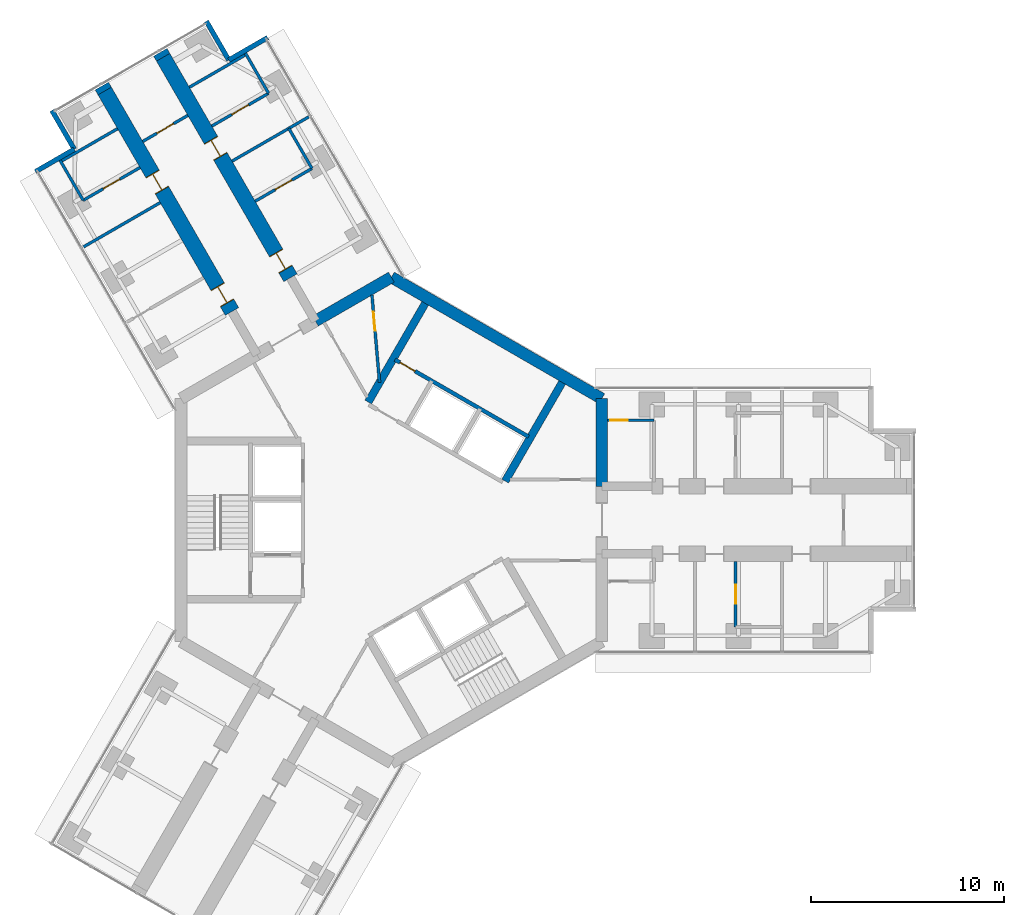
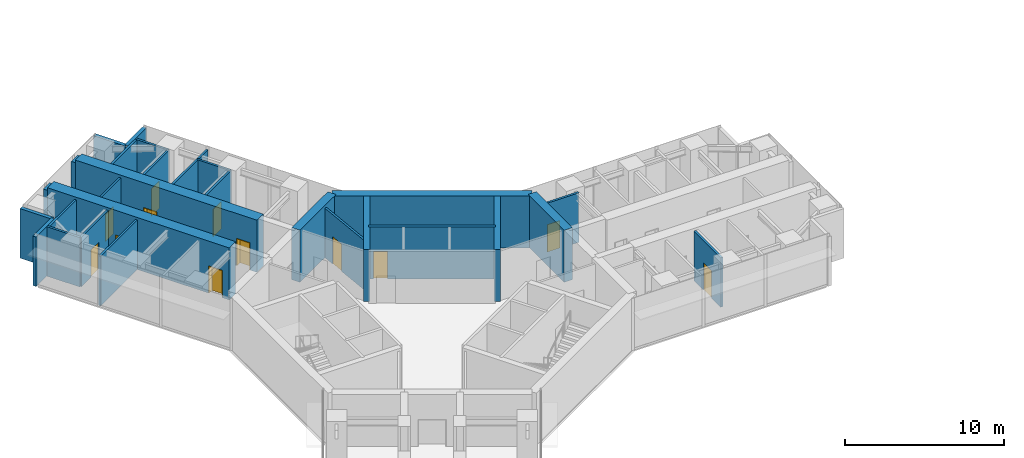
# One storey, part 17 of 22: 28 walls, 12 doors, 12 openings.
"""IFC4 building model written with IfcOpenShell, lengths in metres."""

from ifc_helpers import new_model, si_unit, direction, frame, frame_2d, origin, place, context, subcontext, project, spatial, rectangle, extrude, material, layer, layer_set, type_object, element, fill, save


model = new_model("IFC4")

# Units and contexts
model_context = context("Model", 3, precision=1e-05, world=origin(), true_north=direction((0.0, 1.0)))
body_context = subcontext(model_context, "Body", "Model", "MODEL_VIEW")
ifc_project = project(units=[si_unit("LENGTHUNIT", "METRE"), si_unit("AREAUNIT", "SQUARE_METRE"), si_unit("VOLUMEUNIT", "CUBIC_METRE"), si_unit("PLANEANGLEUNIT", "RADIAN"), si_unit("MASSUNIT", "GRAM", prefix="KILO")], contexts=[model_context])

# Site, building, storey
site_placement = place(None, origin())
site = spatial("IfcSite", under=ifc_project, at=site_placement, CompositionType="ELEMENT")
building_placement = place(site_placement, origin())
building = spatial("IfcBuilding", under=site, at=building_placement, Name="Upepo Twin Towers", CompositionType="ELEMENT")
storey_placement = place(building_placement, frame((0.0, 0.0, 141.5)))
storey = spatial("IfcBuildingStorey", under=building, at=storey_placement, Name="L34", CompositionType="ELEMENT", Elevation=141.5)

# Walls
ifc_material_1 = material(Name="Dense concrete blockwork", Category="masonry")
ifc_layer_1 = layer(ifc_material_1, 0.800048828125)
ifc_layer_set_1 = layer_set([ifc_layer_1], Name="Buttress closer 800, blockwork with fire-stopping to the curtain wall")
wall_type_1 = type_object("IfcWallType", Name="Buttress closer 800, blockwork with fire-stopping to the curtain wall", PredefinedType="PARTITIONING", material=ifc_layer_set_1)
wall_1_placement = place(storey_placement, frame((-14.865478515625, 22.247802734375, 0.0), z_axis=(0.0, 0.0, 1.0), x_axis=(-0.500426713919, 0.865778900179, 0.0)))
element("IfcWall", 1, at=wall_1_placement, inside=storey, type_object=wall_type_1, Name="T1 L34 wing B buttress closer L", PredefinedType="PARTITIONING", context=body_context, shape_type="SweptSolid", body=[
    extrude(rectangle(XDim=0.300048828125, YDim=0.800048828125, at=frame_2d((0.14990234375, 0.0))), origin(), (0.0, 0.0, 1.0), 3.800048828125),
])
wall_2_placement = place(storey_placement, frame((-11.83447265625, 23.997802734375, 0.0), z_axis=(0.0, 0.0, 1.0), x_axis=(-0.499816412211, 0.866131372301, 0.0)))
element("IfcWall", 2, at=wall_2_placement, inside=storey, type_object=wall_type_1, Name="T1 L34 wing B buttress closer R", PredefinedType="PARTITIONING", context=body_context, shape_type="SweptSolid", body=[
    extrude(rectangle(XDim=0.2998046875, YDim=0.800048828125, at=frame_2d((0.14990234375, 0.0))), origin(), (0.0, 0.0, 1.0), 3.800048828125),
])

# Wall, openings, doors
ifc_material_2 = material(Name="Concrete C60/75", Category="concrete")
ifc_layer_2 = layer(ifc_material_2, 0.800048828125)
ifc_layer_set_2 = layer_set([ifc_layer_2], Name="Concrete C60/75")
wall_type_2 = type_object("IfcWallType", Name="Buttress wall 800 RC", PredefinedType="SHEAR", material=ifc_layer_set_2)
wall_3_placement = place(storey_placement, frame((-8.265625, 10.81640625, 0.0), z_axis=(0.0, 0.0, 1.0), x_axis=(-0.499996231654, 0.866027579429, 0.0)))
wall_3 = element("IfcWall", 3, at=wall_3_placement, inside=storey, type_object=wall_type_2, Name="T1 wing B buttress wall L part 2", PredefinedType="SHEAR", context=body_context, shape_type="SweptSolid", body=[
    extrude(rectangle(XDim=13.19970703125, YDim=0.800048828125, at=frame_2d((6.599853515625, 0.0))), origin(), (0.0, 0.0, 1.0), 4.0),
])
opening_1_placement = place(wall_3_placement, frame((0.5, 0.0, 0.0)))
opening_1 = element("IfcOpeningElement", 4, at=opening_1_placement, cuts=wall_3, Name="Opening D1", PredefinedType="OPENING", context=body_context, shape_type="SweptSolid", body=[
    extrude(rectangle(XDim=1.0, YDim=2.10009765625, at=frame_2d((0.5, 1.050048828125))), frame((0.0, 0.409912109375, 0.0), z_axis=(0.0, -1.0, 0.0), x_axis=(1.0, 0.0, 0.0)), (0.0, 0.0, 1.0), 0.820068359375),
])
opening_2_placement = place(wall_3_placement, frame((7.25, 0.0, 0.0)))
opening_2 = element("IfcOpeningElement", 5, at=opening_2_placement, cuts=wall_3, Name="Opening D1", PredefinedType="OPENING", context=body_context, shape_type="SweptSolid", body=[
    extrude(rectangle(XDim=1.0, YDim=2.10009765625, at=frame_2d((0.5, 1.050048828125))), frame((0.0, 0.409912109375, 0.0), z_axis=(0.0, -1.0, 0.0), x_axis=(1.0, 0.0, 0.0)), (0.0, 0.0, 1.0), 0.820068359375),
])
ifc_material_3 = material(Name="Timber doorset", Category="wood")
door_type_1 = type_object("IfcDoorType", Name="Room door 1000 FD30", OperationType="SINGLE_SWING_LEFT", PredefinedType="DOOR", material=ifc_material_3)
door_1_placement = place(opening_1_placement, origin())
door_1 = element("IfcDoor", 6, at=door_1_placement, inside=storey, type_object=door_type_1, Name="T1 L34 seminar room door", OperationType="SINGLE_SWING_LEFT", OverallHeight=2.10009765625, OverallWidth=1.0, PredefinedType="DOOR", context=body_context, shape_type="SweptSolid", body=[
    extrude(rectangle(XDim=0.92, YDim=2.06009765625, at=frame_2d((0.5, 1.030029296875))), frame((0.0, 0.02490234375, 0.0), z_axis=(0.0, -1.0, 0.0), x_axis=(1.0, 0.0, 0.0)), (0.0, 0.0, 1.0), 0.050048828125),
    extrude(rectangle(XDim=0.04, YDim=2.10009765625, at=frame_2d((0.02001953125, 1.050048828125))), frame((0.0, 0.39990234375, 0.0), z_axis=(0.0, -1.0, 0.0), x_axis=(1.0, 0.0, 0.0)), (0.0, 0.0, 1.0), 0.799560546875),
    extrude(rectangle(XDim=0.04, YDim=2.10009765625, at=frame_2d((0.97998046875, 1.050048828125))), frame((0.0, 0.39990234375, 0.0), z_axis=(0.0, -1.0, 0.0), x_axis=(1.0, 0.0, 0.0)), (0.0, 0.0, 1.0), 0.799560546875),
    extrude(rectangle(XDim=0.92, YDim=0.04, at=frame_2d((0.5, 2.080078125))), frame((0.0, 0.39990234375, 0.0), z_axis=(0.0, -1.0, 0.0), x_axis=(1.0, 0.0, 0.0)), (0.0, 0.0, 1.0), 0.799560546875),
])
fill(opening_1, door_1)
door_2_placement = place(opening_2_placement, origin())
door_2 = element("IfcDoor", 7, at=door_2_placement, inside=storey, type_object=door_type_1, Name="T1 L34 tutorial room door", OperationType="SINGLE_SWING_RIGHT", OverallHeight=2.10009765625, OverallWidth=1.0, PredefinedType="DOOR", context=body_context, shape_type="SweptSolid", body=[
    extrude(rectangle(XDim=0.92, YDim=2.06009765625, at=frame_2d((0.5, 1.030029296875))), frame((0.0, 0.02490234375, 0.0), z_axis=(0.0, -1.0, 0.0), x_axis=(1.0, 0.0, 0.0)), (0.0, 0.0, 1.0), 0.050048828125),
    extrude(rectangle(XDim=0.04, YDim=2.10009765625, at=frame_2d((0.02001953125, 1.050048828125))), frame((0.0, 0.39990234375, 0.0), z_axis=(0.0, -1.0, 0.0), x_axis=(1.0, 0.0, 0.0)), (0.0, 0.0, 1.0), 0.799560546875),
    extrude(rectangle(XDim=0.04, YDim=2.10009765625, at=frame_2d((0.97998046875, 1.050048828125))), frame((0.0, 0.39990234375, 0.0), z_axis=(0.0, -1.0, 0.0), x_axis=(1.0, 0.0, 0.0)), (0.0, 0.0, 1.0), 0.799560546875),
    extrude(rectangle(XDim=0.92, YDim=0.04, at=frame_2d((0.5, 2.080078125))), frame((0.0, 0.39990234375, 0.0), z_axis=(0.0, -1.0, 0.0), x_axis=(1.0, 0.0, 0.0)), (0.0, 0.0, 1.0), 0.799560546875),
])
fill(opening_2, door_2)

wall_4_placement = place(storey_placement, frame((-5.234375, 12.56640625, 0.0), z_axis=(0.0, 0.0, 1.0), x_axis=(-0.500010103361, 0.866019570528, 0.0)))
wall_4 = element("IfcWall", 8, at=wall_4_placement, inside=storey, type_object=wall_type_2, Name="T1 wing B buttress wall R part 2", PredefinedType="SHEAR", context=body_context, shape_type="SweptSolid", body=[
    extrude(rectangle(XDim=13.199951171875, YDim=0.800048828125, at=frame_2d((6.60009765625, 0.0))), origin(), (0.0, 0.0, 1.0), 4.0),
])
opening_3_placement = place(wall_4_placement, frame((0.5, 0.0, 0.0)))
opening_3 = element("IfcOpeningElement", 9, at=opening_3_placement, cuts=wall_4, Name="Opening D1", PredefinedType="OPENING", context=body_context, shape_type="SweptSolid", body=[
    extrude(rectangle(XDim=1.0, YDim=2.10009765625, at=frame_2d((0.5, 1.050048828125))), frame((0.0, 0.409912109375, 0.0), z_axis=(0.0, -1.0, 0.0), x_axis=(1.0, 0.0, 0.0)), (0.0, 0.0, 1.0), 0.820068359375),
])
opening_4_placement = place(wall_4_placement, frame((7.25, 0.0, 0.0)))
opening_4 = element("IfcOpeningElement", 10, at=opening_4_placement, cuts=wall_4, Name="Opening D1", PredefinedType="OPENING", context=body_context, shape_type="SweptSolid", body=[
    extrude(rectangle(XDim=1.0, YDim=2.10009765625, at=frame_2d((0.5, 1.050048828125))), frame((0.0, 0.409912109375, 0.0), z_axis=(0.0, -1.0, 0.0), x_axis=(1.0, 0.0, 0.0)), (0.0, 0.0, 1.0), 0.820068359375),
])
door_3_placement = place(opening_3_placement, origin())
door_3 = element("IfcDoor", 11, at=door_3_placement, inside=storey, type_object=door_type_1, Name="T1 L34 research laboratory door", OperationType="SINGLE_SWING_LEFT", OverallHeight=2.10009765625, OverallWidth=1.0, PredefinedType="DOOR", context=body_context, shape_type="SweptSolid", body=[
    extrude(rectangle(XDim=0.92, YDim=2.06009765625, at=frame_2d((0.5, 1.030029296875))), frame((0.0, 0.02490234375, 0.0), z_axis=(0.0, -1.0, 0.0), x_axis=(1.0, 0.0, 0.0)), (0.0, 0.0, 1.0), 0.050048828125),
    extrude(rectangle(XDim=0.04, YDim=2.10009765625, at=frame_2d((0.02001953125, 1.050048828125))), frame((0.0, 0.39990234375, 0.0), z_axis=(0.0, -1.0, 0.0), x_axis=(1.0, 0.0, 0.0)), (0.0, 0.0, 1.0), 0.799560546875),
    extrude(rectangle(XDim=0.04, YDim=2.10009765625, at=frame_2d((0.97998046875, 1.050048828125))), frame((0.0, 0.39990234375, 0.0), z_axis=(0.0, -1.0, 0.0), x_axis=(1.0, 0.0, 0.0)), (0.0, 0.0, 1.0), 0.799560546875),
    extrude(rectangle(XDim=0.92, YDim=0.04, at=frame_2d((0.5, 2.080078125))), frame((0.0, 0.39990234375, 0.0), z_axis=(0.0, -1.0, 0.0), x_axis=(1.0, 0.0, 0.0)), (0.0, 0.0, 1.0), 0.799560546875),
])
fill(opening_3, door_3)
door_4_placement = place(opening_4_placement, origin())
door_4 = element("IfcDoor", 12, at=door_4_placement, inside=storey, type_object=door_type_1, Name="T1 L34 computing laboratory door", OperationType="SINGLE_SWING_RIGHT", OverallHeight=2.10009765625, OverallWidth=1.0, PredefinedType="DOOR", context=body_context, shape_type="SweptSolid", body=[
    extrude(rectangle(XDim=0.92, YDim=2.06009765625, at=frame_2d((0.5, 1.030029296875))), frame((0.0, 0.02490234375, 0.0), z_axis=(0.0, -1.0, 0.0), x_axis=(1.0, 0.0, 0.0)), (0.0, 0.0, 1.0), 0.050048828125),
    extrude(rectangle(XDim=0.04, YDim=2.10009765625, at=frame_2d((0.02001953125, 1.050048828125))), frame((0.0, 0.39990234375, 0.0), z_axis=(0.0, -1.0, 0.0), x_axis=(1.0, 0.0, 0.0)), (0.0, 0.0, 1.0), 0.799560546875),
    extrude(rectangle(XDim=0.04, YDim=2.10009765625, at=frame_2d((0.97998046875, 1.050048828125))), frame((0.0, 0.39990234375, 0.0), z_axis=(0.0, -1.0, 0.0), x_axis=(1.0, 0.0, 0.0)), (0.0, 0.0, 1.0), 0.799560546875),
    extrude(rectangle(XDim=0.92, YDim=0.04, at=frame_2d((0.5, 2.080078125))), frame((0.0, 0.39990234375, 0.0), z_axis=(0.0, -1.0, 0.0), x_axis=(1.0, 0.0, 0.0)), (0.0, 0.0, 1.0), 0.799560546875),
])
fill(opening_4, door_4)

# Walls
ifc_material_4 = material(Name="Concrete C60/75", Category="concrete")
ifc_layer_3 = layer(ifc_material_4, 0.60009765625)
ifc_layer_set_3 = layer_set([ifc_layer_3], Name="Concrete C60/75")
wall_type_3 = type_object("IfcWallType", Name="Core wall 600 RC", PredefinedType="SHEAR", material=ifc_layer_set_3)
wall_5_placement = place(storey_placement, frame((10.908447265625, 1.75, 0.0), z_axis=(0.0, 0.0, 1.0), x_axis=(0.0, 1.0, 0.0)))
element("IfcWall", 13, at=wall_5_placement, inside=storey, type_object=wall_type_3, Name="T1 core wall 000 L", PredefinedType="SHEAR", context=body_context, shape_type="SweptSolid", body=[
    extrude(rectangle(XDim=4.5478515625, YDim=0.60009765625, at=frame_2d((2.27392578125, 0.0))), origin(), (0.0, 0.0, 1.0), 4.0),
])
wall_6_placement = place(storey_placement, frame((10.908447265625, 6.2978515625, 0.0), z_axis=(0.0, 0.0, 1.0), x_axis=(-0.866021940709, 0.500005998175, 0.0)))
element("IfcWall", 14, at=wall_6_placement, inside=storey, type_object=wall_type_3, Name="T1 core wall 060", PredefinedType="SHEAR", context=body_context, shape_type="SweptSolid", body=[
    extrude(rectangle(XDim=12.595947265625, YDim=0.60009765625, at=frame_2d((6.2978515625, 0.0))), origin(), (0.0, 0.0, 1.0), 4.0),
])
wall_7_placement = place(storey_placement, frame((0.0, 12.595947265625, 0.0), z_axis=(0.0, 0.0, 1.0), x_axis=(-0.866011268655, -0.500024481964, 0.0)))
element("IfcWall", 15, at=wall_7_placement, inside=storey, type_object=wall_type_3, Name="T1 core wall 120 R", PredefinedType="SHEAR", context=body_context, shape_type="SweptSolid", body=[
    extrude(rectangle(XDim=4.548095703125, YDim=0.60009765625, at=frame_2d((2.27392578125, 0.0))), origin(), (0.0, 0.0, 1.0), 4.0),
])
ifc_material_5 = material(Name="Blockwork with anodised aluminium cladding", Category="masonry")
ifc_layer_4 = layer(ifc_material_5, 0.25)
ifc_layer_set_4 = layer_set([ifc_layer_4], Name="Notch cladding wall 250, pale metal")
wall_type_4 = type_object("IfcWallType", Name="Notch cladding wall 250, pale metal", PredefinedType="STANDARD", material=ifc_layer_set_4)
for number, where, z_axis, x_axis, name in (
    (16, (-18.456298828125, 18.0673828125, 0.0), (0.0, 0.0, 1.0), (0.865998469481, 0.500046648681, 0.0), "T1 L34 wing B notch wall L1"),
    (17, (-16.44287109375, 19.22998046875, 0.0), (0.0, 0.0, 1.0), (-0.500046648681, 0.865998469481, 0.0), "T1 L34 wing B notch wall L2"),
    (18, (-6.418701171875, 25.017333984375, 0.0), (0.0, 0.0, 1.0), (-0.866043940782, -0.499967891604, 0.0), "T1 L34 wing B notch wall R1"),
    (19, (-8.43212890625, 23.85498046875, 0.0), (0.0, 0.0, 1.0), (-0.500046648681, 0.865998469481, 0.0), "T1 L34 wing B notch wall R2"),
):
    element("IfcWall", number, at=place(storey_placement, frame(where, z_axis=z_axis, x_axis=x_axis)), inside=storey, type_object=wall_type_4, Name=name, PredefinedType="STANDARD", context=body_context, shape_type="SweptSolid", body=[
        extrude(rectangle(XDim=2.324951171875, YDim=0.25, at=frame_2d((1.16259765625, 0.0))), origin(), (0.0, 0.0, 1.0), 3.800048828125),
    ])

# Wall, opening, door
ifc_material_6 = material(Name="Concrete C40/50", Category="concrete")
ifc_layer_5 = layer(ifc_material_6, 0.199951171875)
ifc_layer_set_5 = layer_set([ifc_layer_5], Name="Concrete C40/50")
wall_type_5 = type_object("IfcWallType", Name="Shaft wall 200 RC", PredefinedType="SHEAR", material=ifc_layer_set_5)
wall_8_placement = place(storey_placement, frame((7.114013671875, 4.322021484375, 0.0), z_axis=(0.0, 0.0, 1.0), x_axis=(-0.866026010844, 0.49999894854, 0.0)))
wall_8 = element("IfcWall", 20, at=wall_8_placement, inside=storey, type_object=wall_type_5, Name="T1 core W60 stair wall", PredefinedType="SHEAR", context=body_context, shape_type="SweptSolid", body=[
    extrude(rectangle(XDim=8.0, YDim=0.199951171875, at=frame_2d((4.0, 0.0))), origin(), (0.0, 0.0, 1.0), 4.0),
])
opening_5_placement = place(wall_8_placement, frame((6.800048828125, 0.0, 0.0)))
opening_5 = element("IfcOpeningElement", 21, at=opening_5_placement, cuts=wall_8, Name="Opening D9", PredefinedType="OPENING", context=body_context, shape_type="SweptSolid", body=[
    extrude(rectangle(XDim=0.89990234375, YDim=2.10009765625, at=frame_2d((0.449951171875, 1.050048828125))), frame((0.0, 0.10986328125, 0.0), z_axis=(0.0, -1.0, 0.0), x_axis=(1.0, 0.0, 0.0)), (0.0, 0.0, 1.0), 0.219970703125),
])
ifc_material_7 = material(Name="Timber doorset", Category="wood")
door_type_2 = type_object("IfcDoorType", Name="Riser door 900 FD60", OperationType="SINGLE_SWING_LEFT", PredefinedType="DOOR", material=ifc_material_7)
door_5_placement = place(opening_5_placement, origin())
door_5 = element("IfcDoor", 22, at=door_5_placement, inside=storey, type_object=door_type_2, Name="T1 L34 riser door", OperationType="SINGLE_SWING_RIGHT", OverallHeight=2.10009765625, OverallWidth=0.89990234375, PredefinedType="DOOR", context=body_context, shape_type="SweptSolid", body=[
    extrude(rectangle(XDim=0.89990234375, YDim=2.10009765625, at=frame_2d((0.449951171875, 1.050048828125))), frame((0.0, 0.02490234375, 0.0), z_axis=(0.0, -1.0, 0.0), x_axis=(1.0, 0.0, 0.0)), (0.0, 0.0, 1.0), 0.050048828125),
])
fill(opening_5, door_5)

# Walls
ifc_material_8 = material(Name="Concrete C40/50", Category="concrete")
ifc_layer_6 = layer(ifc_material_8, 0.39990234375)
ifc_layer_set_6 = layer_set([ifc_layer_6], Name="Concrete C40/50")
wall_type_6 = type_object("IfcWallType", Name="Shaft wall 400 RC", PredefinedType="SHEAR", material=ifc_layer_set_6)
wall_9_placement = place(storey_placement, frame((-1.20068359375, 6.120361328125, 0.0), z_axis=(0.0, 0.0, 1.0), x_axis=(0.49999668571, 0.866027317282, 0.0)))
element("IfcWall", 23, at=wall_9_placement, inside=storey, type_object=wall_type_6, Name="T1 core W60 side wall N", PredefinedType="SHEAR", context=body_context, shape_type="SweptSolid", body=[
    extrude(rectangle(XDim=5.908203125, YDim=0.39990234375, at=frame_2d((2.9541015625, 0.0))), origin(), (0.0, 0.0, 1.0), 4.0),
])
wall_10_placement = place(storey_placement, frame((5.900634765625, 2.020263671875, 0.0), z_axis=(0.0, 0.0, 1.0), x_axis=(0.500027676417, 0.866009424208, 0.0)))
element("IfcWall", 24, at=wall_10_placement, inside=storey, type_object=wall_type_6, Name="T1 core W60 side wall S", PredefinedType="SHEAR", context=body_context, shape_type="SweptSolid", body=[
    extrude(rectangle(XDim=5.908447265625, YDim=0.39990234375, at=frame_2d((2.9541015625, 0.0))), origin(), (0.0, 0.0, 1.0), 4.0),
])

# Wall, opening, door
ifc_material_9 = material(Name="Gypsum board on steel studs", Category="steel")
ifc_layer_7 = layer(ifc_material_9, 0.14990234375)
ifc_layer_set_7 = layer_set([ifc_layer_7], Name="Teaching partition 150 acoustic")
wall_type_7 = type_object("IfcWallType", Name="Teaching partition 150 acoustic", PredefinedType="PARTITIONING", material=ifc_layer_set_7)
wall_11_placement = place(storey_placement, frame((11.2080078125, 5.175048828125, 0.0), z_axis=(0.0, 0.0, 1.0), x_axis=(1.0, 0.0, 0.0)))
wall_11 = element("IfcWall", 25, at=wall_11_placement, inside=storey, type_object=wall_type_7, Name="T1 WC bay partition AL at 11.21", PredefinedType="PARTITIONING", context=body_context, shape_type="SweptSolid", body=[
    extrude(rectangle(XDim=2.39990234375, YDim=0.14990234375, at=frame_2d((1.199951171875, 0.0))), origin(), (0.0, 0.0, 1.0), 3.800048828125),
])
opening_6_placement = place(wall_11_placement, frame((0.14990234375, 0.0, 0.0)))
opening_6 = element("IfcOpeningElement", 26, at=opening_6_placement, cuts=wall_11, Name="Opening D14", PredefinedType="OPENING", context=body_context, shape_type="SweptSolid", body=[
    extrude(rectangle(XDim=0.89990234375, YDim=2.10009765625, at=frame_2d((0.449951171875, 1.050048828125))), frame((0.0, 0.0849609375, 0.0), z_axis=(0.0, -1.0, 0.0), x_axis=(1.0, 0.0, 0.0)), (0.0, 0.0, 1.0), 0.169921875),
])
ifc_material_10 = material(Name="Timber doorset", Category="wood")
door_type_3 = type_object("IfcDoorType", Name="Office door 900 FD30", OperationType="SINGLE_SWING_LEFT", PredefinedType="DOOR", material=ifc_material_10)
door_6_placement = place(opening_6_placement, origin())
door_6 = element("IfcDoor", 27, at=door_6_placement, inside=storey, type_object=door_type_3, Name="T1 L34 WC bay inner room door", OperationType="SINGLE_SWING_LEFT", OverallHeight=2.10009765625, OverallWidth=0.89990234375, PredefinedType="DOOR", context=body_context, shape_type="SweptSolid", body=[
    extrude(rectangle(XDim=0.89990234375, YDim=2.10009765625, at=frame_2d((0.449951171875, 1.050048828125))), frame((0.0, 0.02490234375, 0.0), z_axis=(0.0, -1.0, 0.0), x_axis=(1.0, 0.0, 0.0)), (0.0, 0.0, 1.0), 0.050048828125),
])
fill(opening_6, door_6)

wall_12_placement = place(storey_placement, frame((17.85009765625, -2.14990234375, 0.0), z_axis=(0.0, 0.0, 1.0), x_axis=(0.0, -1.0, 0.0)))
wall_12 = element("IfcWall", 28, at=wall_12_placement, inside=storey, type_object=wall_type_7, Name="T1 inner room partition AR end at 17.85", PredefinedType="PARTITIONING", context=body_context, shape_type="SweptSolid", body=[
    extrude(rectangle(XDim=3.400146484375, YDim=0.14990234375, at=frame_2d((1.7001953125, 0.0))), origin(), (0.0, 0.0, 1.0), 3.800048828125),
])
opening_7_placement = place(wall_12_placement, frame((1.199951171875, 0.0, 0.0)))
opening_7 = element("IfcOpeningElement", 29, at=opening_7_placement, cuts=wall_12, Name="Opening D1", PredefinedType="OPENING", context=body_context, shape_type="SweptSolid", body=[
    extrude(rectangle(XDim=1.0, YDim=2.10009765625, at=frame_2d((0.5, 1.050048828125))), frame((0.0, 0.0849609375, 0.0), z_axis=(0.0, -1.0, 0.0), x_axis=(1.0, 0.0, 0.0)), (0.0, 0.0, 1.0), 0.169921875),
])
door_7_placement = place(opening_7_placement, origin())
door_7 = element("IfcDoor", 30, at=door_7_placement, inside=storey, type_object=door_type_1, Name="T1 L34 inner room door", OperationType="SINGLE_SWING_LEFT", OverallHeight=2.10009765625, OverallWidth=1.0, PredefinedType="DOOR", context=body_context, shape_type="SweptSolid", body=[
    extrude(rectangle(XDim=1.0, YDim=2.10009765625, at=frame_2d((0.5, 1.050048828125))), frame((0.0, 0.02490234375, 0.0), z_axis=(0.0, -1.0, 0.0), x_axis=(1.0, 0.0, 0.0)), (0.0, 0.0, 1.0), 0.050048828125),
])
fill(opening_7, door_7)

# Walls
wall_13_placement = place(storey_placement, frame((-11.987060546875, 16.4619140625, 0.0), z_axis=(0.0, 0.0, 1.0), x_axis=(-0.866039752405, -0.499975146636, 0.0)))
element("IfcWall", 31, at=wall_13_placement, inside=storey, type_object=wall_type_7, Name="T1 partition BL at 20.25", PredefinedType="PARTITIONING", context=body_context, shape_type="SweptSolid", body=[
    extrude(rectangle(XDim=4.599853515625, YDim=0.14990234375, at=frame_2d((2.2998046875, 0.0))), origin(), (0.0, 0.0, 1.0), 3.800048828125),
])
wall_14_placement = place(storey_placement, frame((-15.9814453125, 16.58056640625, 0.0), z_axis=(0.0, 0.0, 1.0), x_axis=(-0.499957262057, 0.866050077142, 0.0)))
element("IfcWall", 32, at=wall_14_placement, inside=storey, type_object=wall_type_7, Name="T1 inner room partition BL at 22.35", PredefinedType="PARTITIONING", context=body_context, shape_type="SweptSolid", body=[
    extrude(rectangle(XDim=2.400146484375, YDim=0.14990234375, at=frame_2d((1.2001953125, 0.0))), origin(), (0.0, 0.0, 1.0), 3.800048828125),
])

# Wall, opening, door
wall_15_placement = place(storey_placement, frame((-13.036865234375, 18.28076171875, 0.0), z_axis=(0.0, 0.0, 1.0), x_axis=(-0.866007419912, -0.500031147688, 0.0)))
wall_15 = element("IfcWall", 33, at=wall_15_placement, inside=storey, type_object=wall_type_7, Name="T1 inner room partition BL end at 22.35", PredefinedType="PARTITIONING", context=body_context, shape_type="SweptSolid", body=[
    extrude(rectangle(XDim=3.400146484375, YDim=0.14990234375, at=frame_2d((1.7001953125, 0.0))), origin(), (0.0, 0.0, 1.0), 3.800048828125),
])
opening_8_placement = place(wall_15_placement, frame((1.199951171875, 0.0, 0.0)))
opening_8 = element("IfcOpeningElement", 34, at=opening_8_placement, cuts=wall_15, Name="Opening D1", PredefinedType="OPENING", context=body_context, shape_type="SweptSolid", body=[
    extrude(rectangle(XDim=1.0, YDim=2.10009765625, at=frame_2d((0.5, 1.050048828125))), frame((0.0, 0.0849609375, 0.0), z_axis=(0.0, -1.0, 0.0), x_axis=(1.0, 0.0, 0.0)), (0.0, 0.0, 1.0), 0.169921875),
])
door_8_placement = place(opening_8_placement, origin())
door_8 = element("IfcDoor", 35, at=door_8_placement, inside=storey, type_object=door_type_1, Name="T1 L34 inner room door", OperationType="SINGLE_SWING_LEFT", OverallHeight=2.10009765625, OverallWidth=1.0, PredefinedType="DOOR", context=body_context, shape_type="SweptSolid", body=[
    extrude(rectangle(XDim=1.0, YDim=2.10009765625, at=frame_2d((0.5, 1.050048828125))), frame((0.0, 0.02490234375, 0.0), z_axis=(0.0, -1.0, 0.0), x_axis=(1.0, 0.0, 0.0)), (0.0, 0.0, 1.0), 0.050048828125),
])
fill(opening_8, door_8)

# Walls
wall_16_placement = place(storey_placement, frame((-14.199462890625, 20.294189453125, 0.0), z_axis=(0.0, 0.0, 1.0), x_axis=(-0.866038511948, -0.499977295307, 0.0)))
element("IfcWall", 36, at=wall_16_placement, inside=storey, type_object=wall_type_7, Name="T1 inner room partition BL end at 24.75", PredefinedType="PARTITIONING", context=body_context, shape_type="SweptSolid", body=[
    extrude(rectangle(XDim=3.400146484375, YDim=0.14990234375, at=frame_2d((1.7001953125, 0.0))), origin(), (0.0, 0.0, 1.0), 3.800048828125),
])
wall_17_placement = place(storey_placement, frame((-8.262939453125, 18.612060546875, 0.0), z_axis=(0.0, 0.0, 1.0), x_axis=(0.866016770315, 0.500014953309, 0.0)))
element("IfcWall", 37, at=wall_17_placement, inside=storey, type_object=wall_type_7, Name="T1 partition BR at 20.25", PredefinedType="PARTITIONING", context=body_context, shape_type="SweptSolid", body=[
    extrude(rectangle(XDim=4.599853515625, YDim=0.14990234375, at=frame_2d((2.2998046875, 0.0))), origin(), (0.0, 0.0, 1.0), 3.800048828125),
])
wall_18_placement = place(storey_placement, frame((-4.11865234375, 18.233642578125, 0.0), z_axis=(0.0, 0.0, 1.0), x_axis=(-0.500001309137, 0.866024647952, 0.0)))
element("IfcWall", 38, at=wall_18_placement, inside=storey, type_object=wall_type_7, Name="T1 inner room partition BR at 17.85", PredefinedType="PARTITIONING", context=body_context, shape_type="SweptSolid", body=[
    extrude(rectangle(XDim=2.39990234375, YDim=0.14990234375, at=frame_2d((1.199951171875, 0.0))), origin(), (0.0, 0.0, 1.0), 3.800048828125),
])

# Wall, opening, door
wall_19_placement = place(storey_placement, frame((-7.06298828125, 16.533447265625, 0.0), z_axis=(0.0, 0.0, 1.0), x_axis=(0.865989465428, 0.500062241894, 0.0)))
wall_19 = element("IfcWall", 39, at=wall_19_placement, inside=storey, type_object=wall_type_7, Name="T1 inner room partition BR end at 17.85", PredefinedType="PARTITIONING", context=body_context, shape_type="SweptSolid", body=[
    extrude(rectangle(XDim=3.39990234375, YDim=0.14990234375, at=frame_2d((1.699951171875, 0.0))), origin(), (0.0, 0.0, 1.0), 3.800048828125),
])
opening_9_placement = place(wall_19_placement, frame((1.199951171875, 0.0, 0.0)))
opening_9 = element("IfcOpeningElement", 40, at=opening_9_placement, cuts=wall_19, Name="Opening D1", PredefinedType="OPENING", context=body_context, shape_type="SweptSolid", body=[
    extrude(rectangle(XDim=1.0, YDim=2.10009765625, at=frame_2d((0.5, 1.050048828125))), frame((0.0, 0.0849609375, 0.0), z_axis=(0.0, -1.0, 0.0), x_axis=(1.0, 0.0, 0.0)), (0.0, 0.0, 1.0), 0.169921875),
])
door_9_placement = place(opening_9_placement, origin())
door_9 = element("IfcDoor", 41, at=door_9_placement, inside=storey, type_object=door_type_1, Name="T1 L34 inner room door", OperationType="SINGLE_SWING_LEFT", OverallHeight=2.10009765625, OverallWidth=1.0, PredefinedType="DOOR", context=body_context, shape_type="SweptSolid", body=[
    extrude(rectangle(XDim=1.0, YDim=2.10009765625, at=frame_2d((0.5, 1.050048828125))), frame((0.0, 0.02490234375, 0.0), z_axis=(0.0, -1.0, 0.0), x_axis=(1.0, 0.0, 0.0)), (0.0, 0.0, 1.0), 0.050048828125),
])
fill(opening_9, door_9)

# Wall
wall_20_placement = place(storey_placement, frame((-6.36865234375, 22.130615234375, 0.0), z_axis=(0.0, 0.0, 1.0), x_axis=(-0.499957262057, 0.866050077142, 0.0)))
element("IfcWall", 42, at=wall_20_placement, inside=storey, type_object=wall_type_7, Name="T1 inner room partition BR at 22.35", PredefinedType="PARTITIONING", context=body_context, shape_type="SweptSolid", body=[
    extrude(rectangle(XDim=2.400146484375, YDim=0.14990234375, at=frame_2d((1.2001953125, 0.0))), origin(), (0.0, 0.0, 1.0), 3.800048828125),
])

# Wall, opening, door
wall_21_placement = place(storey_placement, frame((-9.31298828125, 20.4306640625, 0.0), z_axis=(0.0, 0.0, 1.0), x_axis=(0.866020560687, 0.500008388397, 0.0)))
wall_21 = element("IfcWall", 43, at=wall_21_placement, inside=storey, type_object=wall_type_7, Name="T1 inner room partition BR end at 22.35", PredefinedType="PARTITIONING", context=body_context, shape_type="SweptSolid", body=[
    extrude(rectangle(XDim=3.39990234375, YDim=0.14990234375, at=frame_2d((1.699951171875, 0.0))), origin(), (0.0, 0.0, 1.0), 3.800048828125),
])
opening_10_placement = place(wall_21_placement, frame((1.199951171875, 0.0, 0.0)))
opening_10 = element("IfcOpeningElement", 44, at=opening_10_placement, cuts=wall_21, Name="Opening D1", PredefinedType="OPENING", context=body_context, shape_type="SweptSolid", body=[
    extrude(rectangle(XDim=1.0, YDim=2.10009765625, at=frame_2d((0.5, 1.050048828125))), frame((0.0, 0.0849609375, 0.0), z_axis=(0.0, -1.0, 0.0), x_axis=(1.0, 0.0, 0.0)), (0.0, 0.0, 1.0), 0.169921875),
])
door_10_placement = place(opening_10_placement, origin())
door_10 = element("IfcDoor", 45, at=door_10_placement, inside=storey, type_object=door_type_1, Name="T1 L34 inner room door", OperationType="SINGLE_SWING_LEFT", OverallHeight=2.10009765625, OverallWidth=1.0, PredefinedType="DOOR", context=body_context, shape_type="SweptSolid", body=[
    extrude(rectangle(XDim=1.0, YDim=2.10009765625, at=frame_2d((0.5, 1.050048828125))), frame((0.0, 0.02490234375, 0.0), z_axis=(0.0, -1.0, 0.0), x_axis=(1.0, 0.0, 0.0)), (0.0, 0.0, 1.0), 0.050048828125),
])
fill(opening_10, door_10)

# Wall
wall_22_placement = place(storey_placement, frame((-10.4755859375, 22.444091796875, 0.0), z_axis=(0.0, 0.0, 1.0), x_axis=(0.866007419912, 0.500031147688, 0.0)))
element("IfcWall", 46, at=wall_22_placement, inside=storey, type_object=wall_type_7, Name="T1 inner room partition BR end at 24.75", PredefinedType="PARTITIONING", context=body_context, shape_type="SweptSolid", body=[
    extrude(rectangle(XDim=3.400146484375, YDim=0.14990234375, at=frame_2d((1.7001953125, 0.0))), origin(), (0.0, 0.0, 1.0), 3.800048828125),
])

# Wall, opening, door
wall_23_placement = place(storey_placement, frame((-0.6162109375, 7.133056640625, 0.0), z_axis=(0.0, 0.0, 1.0), x_axis=(-0.086041653535, 0.996291540593, 0.0)))
wall_23 = element("IfcWall", 47, at=wall_23_placement, inside=storey, type_object=wall_type_7, Name="T1 core room partition 7", PredefinedType="PARTITIONING", context=body_context, shape_type="SweptSolid", body=[
    extrude(rectangle(XDim=4.55126953125, YDim=0.14990234375, at=frame_2d((2.275634765625, 0.0))), origin(), (0.0, 0.0, 1.0), 3.800048828125),
])
opening_11_placement = place(wall_23_placement, frame((2.68603515625, 0.0, 0.0)))
opening_11 = element("IfcOpeningElement", 48, at=opening_11_placement, cuts=wall_23, Name="Opening D1", PredefinedType="OPENING", context=body_context, shape_type="SweptSolid", body=[
    extrude(rectangle(XDim=1.0, YDim=2.10009765625, at=frame_2d((0.5, 1.050048828125))), frame((0.0, 0.0849609375, 0.0), z_axis=(0.0, -1.0, 0.0), x_axis=(1.0, 0.0, 0.0)), (0.0, 0.0, 1.0), 0.169921875),
])
door_11_placement = place(opening_11_placement, origin())
door_11 = element("IfcDoor", 49, at=door_11_placement, inside=storey, type_object=door_type_1, Name="T1 L34 core room door K6", OperationType="SINGLE_SWING_RIGHT", OverallHeight=2.10009765625, OverallWidth=1.0, PredefinedType="DOOR", context=body_context, shape_type="SweptSolid", body=[
    extrude(rectangle(XDim=1.0, YDim=2.10009765625, at=frame_2d((0.5, 1.050048828125))), frame((0.0, 0.02490234375, 0.0), z_axis=(0.0, -1.0, 0.0), x_axis=(1.0, 0.0, 0.0)), (0.0, 0.0, 1.0), 0.050048828125),
])
fill(opening_11, door_11)

wall_24_placement = place(storey_placement, frame((-10.555908203125, 20.9833984375, 0.0), z_axis=(0.0, 0.0, 1.0), x_axis=(-0.86599734893, -0.500048589285, 0.0)))
wall_24 = element("IfcWall", 50, at=wall_24_placement, inside=storey, type_object=wall_type_7, Name="T1 corridor end partition B at 23.45", PredefinedType="PARTITIONING", context=body_context, shape_type="SweptSolid", body=[
    extrude(rectangle(XDim=2.699951171875, YDim=0.14990234375, at=frame_2d((1.35009765625, 0.0))), origin(), (0.0, 0.0, 1.0), 3.800048828125),
])
opening_12_placement = place(wall_24_placement, frame((0.85009765625, 0.0, 0.0)))
opening_12 = element("IfcOpeningElement", 51, at=opening_12_placement, cuts=wall_24, Name="Opening D1", PredefinedType="OPENING", context=body_context, shape_type="SweptSolid", body=[
    extrude(rectangle(XDim=1.0, YDim=2.10009765625, at=frame_2d((0.5, 1.050048828125))), frame((0.0, 0.0849609375, 0.0), z_axis=(0.0, -1.0, 0.0), x_axis=(1.0, 0.0, 0.0)), (0.0, 0.0, 1.0), 0.169921875),
])
door_12_placement = place(opening_12_placement, origin())
door_12 = element("IfcDoor", 52, at=door_12_placement, inside=storey, type_object=door_type_1, Name="T1 L34 breakout study room door", OperationType="SINGLE_SWING_RIGHT", OverallHeight=2.10009765625, OverallWidth=1.0, PredefinedType="DOOR", context=body_context, shape_type="SweptSolid", body=[
    extrude(rectangle(XDim=1.0, YDim=2.10009765625, at=frame_2d((0.5, 1.050048828125))), frame((0.0, 0.02490234375, 0.0), z_axis=(0.0, -1.0, 0.0), x_axis=(1.0, 0.0, 0.0)), (0.0, 0.0, 1.0), 0.050048828125),
])
fill(opening_12, door_12)

save(model, "model.ifc")
